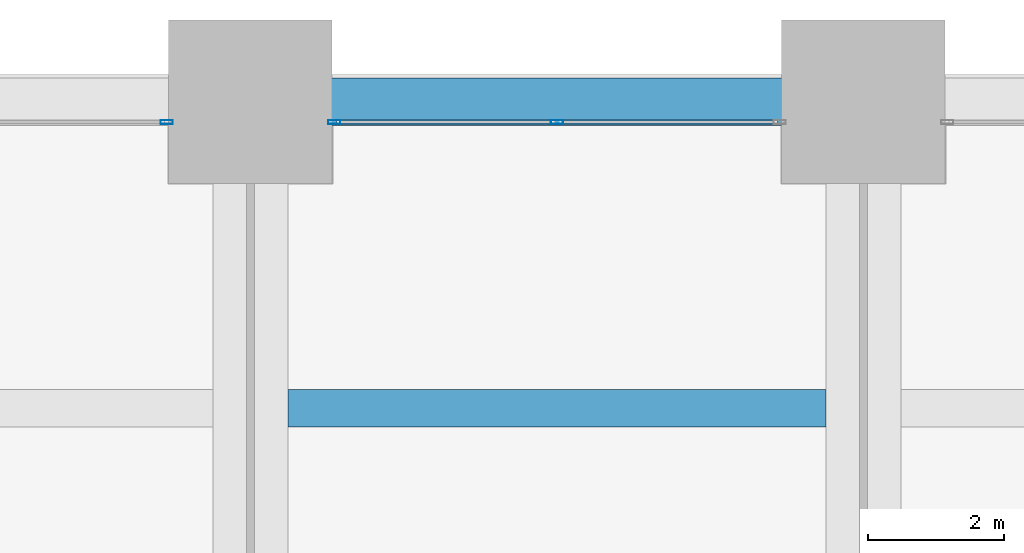
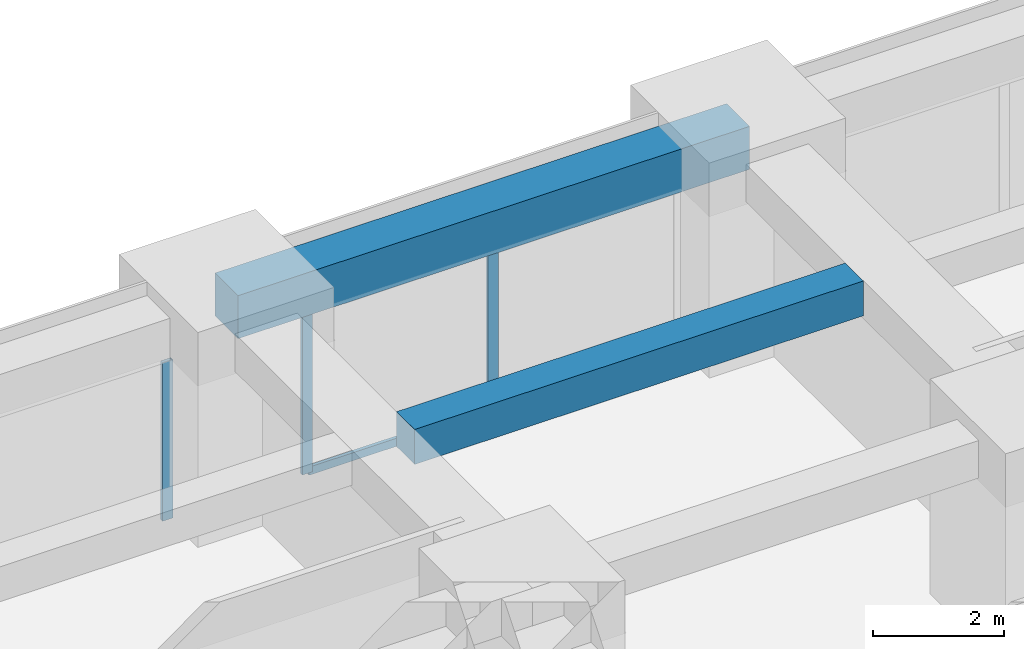
# One storey, part 30 of 45: 4 members, 2 beams, 2 elements without a shape of their own.
"""IFC4 building model written with IfcOpenShell, lengths in metres."""

from ifc_helpers import new_model, si_unit, direction, frame, origin, origin_2d, place, context, subcontext, project, spatial, rectangle, hollow_rectangle, extrude, material, material_profile, profile_set, type_object, element, aggregate, save


model = new_model("IFC4")

# Units and contexts
model_context = context("Model", 3, precision=1e-05, world=origin(), true_north=direction((0.0, 1.0)))
body_context = subcontext(model_context, "Body", "Model", "MODEL_VIEW")
ifc_project = project(units=[si_unit("LENGTHUNIT", "METRE"), si_unit("AREAUNIT", "SQUARE_METRE"), si_unit("VOLUMEUNIT", "CUBIC_METRE"), si_unit("PLANEANGLEUNIT", "RADIAN"), si_unit("MASSUNIT", "GRAM", prefix="KILO")], contexts=[model_context])

# Site, building, storey
site_placement = place(None, origin())
site = spatial("IfcSite", under=ifc_project, at=site_placement, CompositionType="ELEMENT")
building_placement = place(site_placement, origin())
building = spatial("IfcBuilding", under=site, at=building_placement, Name="Zorevar Civic Tower", CompositionType="ELEMENT")
storey_placement = place(building_placement, frame((0.0, 0.0, 23.800048828125)))
storey = spatial("IfcBuildingStorey", under=building, at=storey_placement, Name="L05", CompositionType="ELEMENT", Elevation=23.800048828125)

# Beam
ifc_material_1 = material(Name="Concrete C50/60", Category="concrete")
ifc_material_profile_1 = material_profile(ifc_material_1, rectangle(XDim=0.550048828125, YDim=0.64990234375, at=origin_2d()), Name="RC 550x650")
ifc_profile_set_1 = profile_set([ifc_material_profile_1], Name="Concrete C50/60")
beam_type_1 = type_object("IfcBeamType", Name="Beam RC 550x650", PredefinedType="BEAM", material=ifc_profile_set_1)
beam_1_placement = place(storey_placement, frame((27.550048828125, 49.5, 3.425048828125), z_axis=(1.0, 0.0, 0.0), x_axis=(0.0, 1.0, 0.0)))
element("IfcBeam", 1, at=beam_1_placement, inside=storey, type_object=beam_type_1, Name="Secondary beam L06", PredefinedType="BEAM", context=body_context, shape_type="SweptSolid", body=[
    extrude(rectangle(XDim=0.550048828125, YDim=0.64990234375, at=origin_2d()), origin(), (0.0, 0.0, 1.0), 7.89990234375),
])

# Curtain wall, member
ifc_material_2 = material(Name="Dark grey solar-control glass in black aluminium frame", Category="aluminium")
curtain_wall_type = type_object("IfcCurtainWallType", Name="Curtain wall CW2 low zone", PredefinedType="NOTDEFINED", material=ifc_material_2)
curtain_wall_1_placement = place(storey_placement, origin())
curtain_wall_1 = element("IfcCurtainWall", 2, at=curtain_wall_1_placement, inside=storey, type_object=curtain_wall_type, Name="CW2 L05", PredefinedType="NOTDEFINED")
ifc_material_3 = material(Name="Aluminium, black anodised", Category="aluminium")
ifc_material_profile_2 = material_profile(ifc_material_3, hollow_rectangle(XDim=0.06005859375, YDim=0.179931640625, WallThickness=0.00390625, at=origin_2d()), Name="AL 180x60x4")
ifc_profile_set_2 = profile_set([ifc_material_profile_2], Name="Aluminium, black anodised")
member_type_1 = type_object("IfcMemberType", Name="CW2 mullion AL 180x60x4", PredefinedType="MULLION", material=ifc_profile_set_2)
member_1_placement = place(storey_placement, frame((25.77001953125, 53.699951171875, 0.0), z_axis=(0.0, 0.0, 1.0), x_axis=(0.0, 1.0, 0.0)))
member_1 = element("IfcMember", 3, at=member_1_placement, type_object=member_type_1, Name="CW2 mullion 3", PredefinedType="MULLION", context=body_context, shape_type="SweptSolid", body=[
    extrude(hollow_rectangle(XDim=0.06005859375, YDim=0.179931640625, WallThickness=0.00390625, at=origin_2d()), origin(), (0.0, 0.0, 1.0), 2.949951171875),
])
aggregate(curtain_wall_1, [member_1])

# Curtain wall, members
curtain_wall_2_placement = place(storey_placement, origin())
curtain_wall_2 = element("IfcCurtainWall", 4, at=curtain_wall_2_placement, inside=storey, type_object=curtain_wall_type, Name="CW2 L05", PredefinedType="NOTDEFINED")
member_2_placement = place(storey_placement, frame((28.22998046875, 53.699951171875, 0.0), z_axis=(0.0, 0.0, 1.0), x_axis=(0.0, 1.0, 0.0)))
member_2 = element("IfcMember", 5, at=member_2_placement, type_object=member_type_1, Name="CW2 mullion 1", PredefinedType="MULLION", context=body_context, shape_type="SweptSolid", body=[
    extrude(hollow_rectangle(XDim=0.06005859375, YDim=0.179931640625, WallThickness=0.00390625, at=origin_2d()), origin(), (0.0, 0.0, 1.0), 2.949951171875),
])
member_3_placement = place(storey_placement, frame((31.5, 53.699951171875, 0.06005859375), z_axis=(0.0, 0.0, 1.0), x_axis=(0.0, 1.0, 0.0)))
member_3 = element("IfcMember", 6, at=member_3_placement, type_object=member_type_1, Name="CW2 mullion 2", PredefinedType="MULLION", context=body_context, shape_type="SweptSolid", body=[
    extrude(hollow_rectangle(XDim=0.06005859375, YDim=0.179931640625, WallThickness=0.00390625, at=origin_2d()), origin(), (0.0, 0.0, 1.0), 2.889892578125),
])
ifc_material_4 = material(Name="Aluminium, black anodised", Category="aluminium")
ifc_material_profile_3 = material_profile(ifc_material_4, hollow_rectangle(XDim=0.06005859375, YDim=0.14990234375, WallThickness=0.00390625, at=origin_2d()), Name="AL 150x60x4")
ifc_profile_set_3 = profile_set([ifc_material_profile_3], Name="Aluminium, black anodised")
member_type_2 = type_object("IfcMemberType", Name="CW2 transom AL 150x60x4", PredefinedType="USERDEFINED", material=ifc_profile_set_3)
member_4_placement = place(storey_placement, frame((28.260009765625, 53.699951171875, 0.030029296875), z_axis=(1.0, 0.0, 0.0), x_axis=(0.0, 1.0, 0.0)))
member_4 = element("IfcMember", 7, at=member_4_placement, type_object=member_type_2, Name="CW2 sill transom", ObjectType="TRANSOM", PredefinedType="USERDEFINED", context=body_context, shape_type="SweptSolid", body=[
    extrude(hollow_rectangle(XDim=0.06005859375, YDim=0.14990234375, WallThickness=0.00390625, at=origin_2d()), origin(), (0.0, 0.0, 1.0), 6.47998046875),
])
aggregate(curtain_wall_2, [member_2, member_3, member_4])

# Beam
ifc_material_5 = material(Name="Concrete C50/60", Category="concrete")
ifc_material_profile_4 = material_profile(ifc_material_5, rectangle(XDim=0.699951171875, YDim=0.800048828125, at=origin_2d()), Name="RC 700x800")
ifc_profile_set_4 = profile_set([ifc_material_profile_4], Name="Concrete C50/60")
beam_type_2 = type_object("IfcBeamType", Name="Edge beam RC 700x800", PredefinedType="SPANDREL", material=ifc_profile_set_4)
beam_2_placement = place(storey_placement, frame((27.0, 54.0, 3.349853515625), z_axis=(1.0, 0.0, 0.0), x_axis=(0.0, 1.0, 0.0)))
element("IfcBeam", 8, at=beam_2_placement, inside=storey, type_object=beam_type_2, Name="Edge beam L06", PredefinedType="SPANDREL", context=body_context, shape_type="SweptSolid", body=[
    extrude(rectangle(XDim=0.699951171875, YDim=0.800048828125, at=origin_2d()), origin(), (0.0, 0.0, 1.0), 9.0),
])

save(model, "model.ifc")
